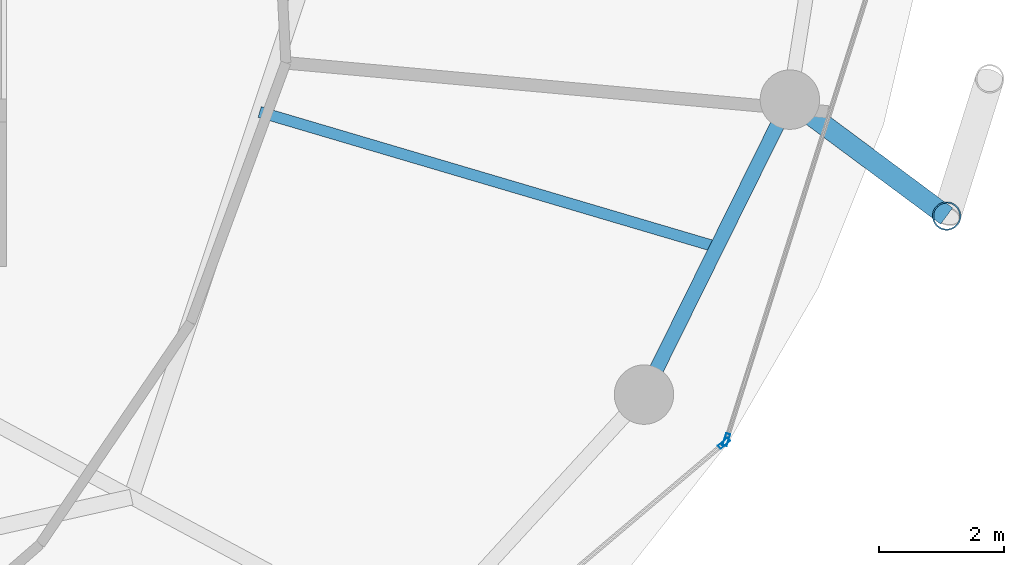
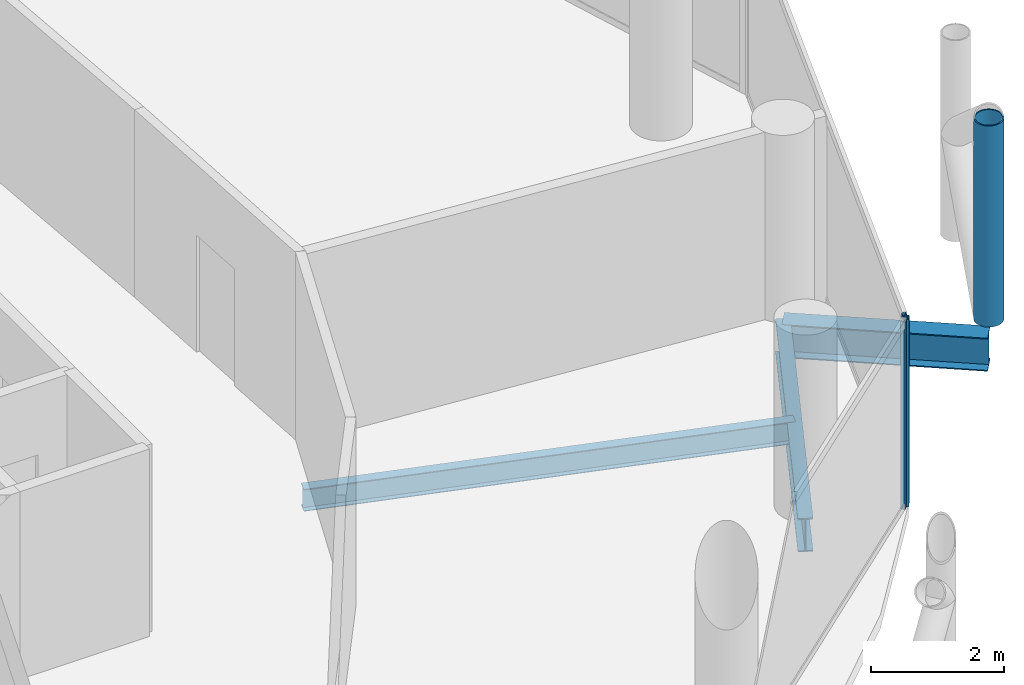
# One storey, part 10 of 26: 3 beams, 3 members, 2 elements without a shape of their own.
"""IFC4 building model written with IfcOpenShell, lengths in metres."""

from ifc_helpers import new_model, si_unit, direction, frame, origin, origin_2d, place, context, subcontext, project, spatial, hollow_rectangle, hollow_circle, i_section, extrude, material, layer, layer_set, material_profile, profile_set, type_object, element, aggregate, save


model = new_model("IFC4")

# Units and contexts
model_context = context("Model", 3, precision=1e-05, world=origin(), true_north=direction((0.0, 1.0)))
body_context = subcontext(model_context, "Body", "Model", "MODEL_VIEW")
ifc_project = project(units=[si_unit("LENGTHUNIT", "METRE"), si_unit("AREAUNIT", "SQUARE_METRE"), si_unit("VOLUMEUNIT", "CUBIC_METRE"), si_unit("PLANEANGLEUNIT", "RADIAN"), si_unit("MASSUNIT", "GRAM", prefix="KILO")], contexts=[model_context])

# Site, building, storey
site_placement = place(None, origin())
site = spatial("IfcSite", under=ifc_project, at=site_placement, CompositionType="ELEMENT")
building_placement = place(site_placement, origin())
building = spatial("IfcBuilding", under=site, at=building_placement, Name="Nuhasar Tower", CompositionType="ELEMENT")
storey_placement = place(building_placement, frame((0.0, 0.0, 166.35009765625)))
storey = spatial("IfcBuildingStorey", under=building, at=storey_placement, Name="L40", CompositionType="ELEMENT", Elevation=166.35009765625)

# Beams
ifc_material_1 = material(Name="Steel S355", Category="steel")
ifc_material_profile_1 = material_profile(ifc_material_1, i_section(OverallWidth=0.177978515625, OverallDepth=0.406005859375, WebThickness=0.0078125, FlangeThickness=0.0126953125, at=origin_2d()), Name="W16X40")
ifc_profile_set_1 = profile_set([ifc_material_profile_1], Name="Steel S355")
beam_type_1 = type_object("IfcBeamType", Name="BM-JST-W16X40", PredefinedType="JOIST", material=ifc_profile_set_1)
beam_1_placement = place(storey_placement, frame((53.0791015625, 21.54296875, -0.453125), z_axis=(0.959000494697, -0.283404395116, 0.0), x_axis=(0.283404395116, 0.959000494697, 0.0)))
element("IfcBeam", 1, at=beam_1_placement, inside=storey, type_object=beam_type_1, Name="L40 Secondary Floor Joist 03", PredefinedType="JOIST", context=body_context, shape_type="SweptSolid", body=[
    extrude(i_section(OverallWidth=0.177978515625, OverallDepth=0.406005859375, WebThickness=0.0078125, FlangeThickness=0.0126953125, at=origin_2d()), origin(), (0.0, 0.0, 1.0), 7.621337890625),
])
ifc_material_profile_2 = material_profile(ifc_material_1, i_section(OverallWidth=0.22998046875, OverallDepth=0.616943359375, WebThickness=0.01318359375, FlangeThickness=0.022216796875, at=origin_2d()), Name="W24X94")
ifc_profile_set_2 = profile_set([ifc_material_profile_2], Name="Steel S355")
beam_type_2 = type_object("IfcBeamType", Name="BM-RING-W24X94", PredefinedType="SPANDREL", material=ifc_profile_set_2)
beam_2_placement = place(storey_placement, frame((59.221923828125, 17.02490234375, -0.55908203125), z_axis=(0.443329327657, 0.896358804966, 0.0), x_axis=(-0.896358804966, 0.443329327657, 0.0)))
element("IfcBeam", 2, at=beam_2_placement, inside=storey, type_object=beam_type_2, Name="L40 Perimeter Ring Spandrel 23", PredefinedType="SPANDREL", context=body_context, shape_type="SweptSolid", body=[
    extrude(i_section(OverallWidth=0.22998046875, OverallDepth=0.616943359375, WebThickness=0.01318359375, FlangeThickness=0.022216796875, at=origin_2d()), origin(), (0.0, 0.0, 1.0), 5.26025390625),
])
ifc_material_profile_3 = material_profile(ifc_material_1, i_section(OverallWidth=0.323974609375, OverallDepth=0.611083984375, WebThickness=0.0126953125, FlangeThickness=0.01904296875, at=origin_2d()), Name="W24X104")
ifc_profile_set_3 = profile_set([ifc_material_profile_3], Name="Steel S355")
beam_type_3 = type_object("IfcBeamType", Name="BM-TIE-W24X104", PredefinedType="BEAM", material=ifc_profile_set_3)
beam_3_placement = place(storey_placement, frame((61.553955078125, 21.739990234375, -0.55615234375), z_axis=(0.80283476238, -0.596201597041, 0.0), x_axis=(0.596201597041, 0.80283476238, 0.0)))
element("IfcBeam", 3, at=beam_3_placement, inside=storey, type_object=beam_type_3, Name="L40 Exoskeleton Node Tie Beam 12", PredefinedType="BEAM", context=body_context, shape_type="SweptSolid", body=[
    extrude(i_section(OverallWidth=0.323974609375, OverallDepth=0.611083984375, WebThickness=0.0126953125, FlangeThickness=0.01904296875, at=origin_2d()), origin(), (0.0, 0.0, 1.0), 3.12158203125),
])

# Curtain wall, member
ifc_material_2 = material(Name="Aluminium 6063-T6", Category="aluminium")
ifc_layer = layer(ifc_material_2, 0.199951171875)
ifc_layer_set = layer_set([ifc_layer], Name="Aluminium 6063-T6")
curtain_wall_type = type_object("IfcCurtainWallType", Name="CW-Z2-HTL", PredefinedType="NOTDEFINED", material=ifc_layer_set)
curtain_wall_1_placement = place(storey_placement, origin())
curtain_wall_1 = element("IfcCurtainWall", 4, at=curtain_wall_1_placement, inside=storey, type_object=curtain_wall_type, Name="L40 Unitised Curtain Wall 11", PredefinedType="NOTDEFINED")
ifc_material_profile_4 = material_profile(ifc_material_2, hollow_rectangle(XDim=0.070068359375, YDim=0.199951171875, WallThickness=0.0048828125, at=origin_2d()), Name="CWM-3")
ifc_profile_set_4 = profile_set([ifc_material_profile_4], Name="Aluminium 6063-T6")
member_type_1 = type_object("IfcMemberType", Name="CW-MUL-S3", PredefinedType="MULLION", material=ifc_profile_set_4)
member_1_placement = place(storey_placement, frame((60.502197265625, 16.247314453125, 0.0), z_axis=(0.0, 0.0, 1.0), x_axis=(-0.646374438324, 0.763020370292, 0.0)))
member_1 = element("IfcMember", 5, at=member_1_placement, type_object=member_type_1, Name="CW-Z2 mullion 2", PredefinedType="MULLION", context=body_context, shape_type="SweptSolid", body=[
    extrude(hollow_rectangle(XDim=0.070068359375, YDim=0.199951171875, WallThickness=0.0048828125, at=origin_2d()), origin(), (0.0, 0.0, 1.0), 3.449951171875),
])
aggregate(curtain_wall_1, [member_1])

curtain_wall_2_placement = place(storey_placement, origin())
curtain_wall_2 = element("IfcCurtainWall", 6, at=curtain_wall_2_placement, inside=storey, type_object=curtain_wall_type, Name="L40 Unitised Curtain Wall 12", PredefinedType="NOTDEFINED")
member_2_placement = place(storey_placement, frame((60.53955078125, 16.303466796875, 0.0), z_axis=(0.0, 0.0, 1.0), x_axis=(-0.953433389233, 0.301603667577, 0.0)))
member_2 = element("IfcMember", 7, at=member_2_placement, type_object=member_type_1, Name="CW-Z2 mullion 1", PredefinedType="MULLION", context=body_context, shape_type="SweptSolid", body=[
    extrude(hollow_rectangle(XDim=0.070068359375, YDim=0.199951171875, WallThickness=0.0048828125, at=origin_2d()), origin(), (0.0, 0.0, 1.0), 3.449951171875),
])
aggregate(curtain_wall_2, [member_2])

# Member
ifc_material_3 = material(Name="Steel S460", Category="steel")
ifc_material_profile_5 = material_profile(ifc_material_3, hollow_circle(Radius=0.228515625, WallThickness=0.022216796875, at=origin_2d()), Name="HSS457X22.2")
ifc_profile_set_5 = profile_set([ifc_material_profile_5], Name="Steel S460")
member_type_2 = type_object("IfcMemberType", Name="EXO-BRONZE-457", PredefinedType="BRACE", material=ifc_profile_set_5)
member_3_placement = place(storey_placement, frame((64.06005859375, 19.87890625, 0.0), z_axis=(0.0, 0.0, 1.0), x_axis=(1.0, 0.0, 0.0)))
element("IfcMember", 8, at=member_3_placement, inside=storey, type_object=member_type_2, Name="L40 Exoskeleton Chord Column EC-12A", PredefinedType="BRACE", context=body_context, shape_type="SweptSolid", body=[
    extrude(hollow_circle(Radius=0.228515625, WallThickness=0.022216796875, at=origin_2d()), origin(), (0.0, 0.0, 1.0), 3.699951171875),
])

save(model, "model.ifc")
